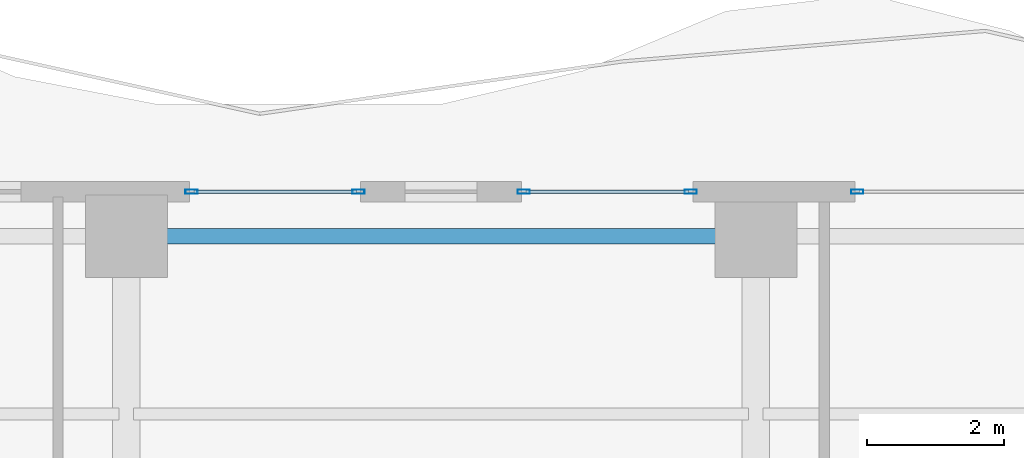
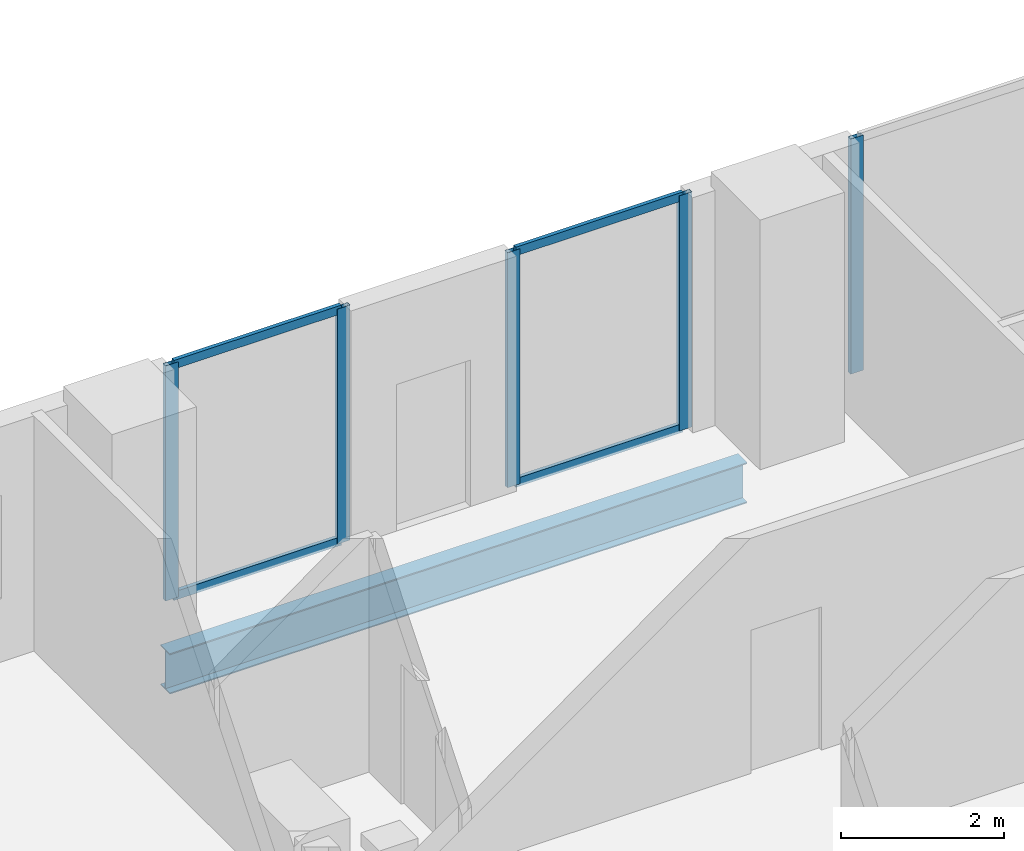
# One storey, part 19 of 32: 9 members, 1 beam, 3 elements without a shape of their own.
"""IFC4 building model written with IfcOpenShell, lengths in metres."""

import ifcopenshell
import ifcopenshell.guid

model = None  # the IFC model being written
_history = None  # IfcOwnerHistory: only IFC2X3 demands one
_inside = {}  # id of a spatial element -> (the spatial element, [elements in it])
_under = {}  # id of a project, library or spatial element -> (it, [spatial elements below it])
_declared = {}  # id of a project -> (the project, [libraries it declares])
_typed = {}  # id of a type object -> (the type object, [elements of that type])
_made_of = {}  # id of a material, layer set ... -> (it, [elements and type objects made of it])


def new_model(schema):
    """Start an empty IFC model of exactly this schema.

    Asked for "IFC4X3", IfcOpenShell would pick the latest addendum, in which some entities
    have other attributes; the version numbers below select the first issue.
    IFC2X3 requires an IfcOwnerHistory on every rooted entity: one is made here for all.
    """
    global model, _history
    if schema == "IFC4X3":
        model = ifcopenshell.file(schema_version=(4, 3, 0, 0))
    else:
        model = ifcopenshell.file(schema=schema)
    _inside.clear()
    _under.clear()
    _declared.clear()
    _typed.clear()
    _made_of.clear()
    _history = None
    if model.schema == "IFC2X3":
        org = make("IfcOrganization", Name="unknown")
        user = make(
            "IfcPersonAndOrganization",
            ThePerson=make("IfcPerson", FamilyName="unknown"),
            TheOrganization=org,
        )
        app = make(
            "IfcApplication",
            ApplicationDeveloper=org,
            Version="unknown",
            ApplicationFullName="unknown",
            ApplicationIdentifier="unknown",
        )
        _history = make(
            "IfcOwnerHistory",
            OwningUser=user,
            OwningApplication=app,
            ChangeAction="ADDED",
            CreationDate=0,
        )
    return model


def make(cls, **values):
    """One entity of the class cls with the attributes given. An attribute that is None is left unset."""
    return model.create_entity(
        cls, **{name: value for name, value in values.items() if value is not None}
    )


def rooted(cls, **values):
    """An entity with a GlobalId (a new one), such as an element, a storey or a relation."""
    return make(cls, GlobalId=ifcopenshell.guid.new(), OwnerHistory=_history, **values)


def si_unit(unit_type, name, prefix=None):
    """IfcSIUnit, for example si_unit("LENGTHUNIT", "METRE", prefix="MILLI")."""
    return make("IfcSIUnit", UnitType=unit_type, Prefix=prefix, Name=name)


def assignment(units):
    """IfcUnitAssignment: the units of a project."""
    return None if units is None else make("IfcUnitAssignment", Units=units)


def point(xyz):
    """IfcCartesianPoint."""
    return None if xyz is None else make("IfcCartesianPoint", Coordinates=xyz)


def direction(xyz):
    """IfcDirection."""
    return None if xyz is None else make("IfcDirection", DirectionRatios=xyz)


def frame(location, z_axis=None, x_axis=None):
    """IfcAxis2Placement3D, a coordinate frame: its origin and axes. An axis left out is left unset."""
    return make(
        "IfcAxis2Placement3D",
        Location=point(location),
        Axis=direction(z_axis),
        RefDirection=direction(x_axis),
    )


def frame_2d(location, x_axis=None):
    """IfcAxis2Placement2D, a coordinate frame in the plane: its origin and x axis."""
    return make(
        "IfcAxis2Placement2D", Location=point(location), RefDirection=direction(x_axis)
    )


def origin():
    """The frame at (0, 0, 0) with its axes left unset."""
    return frame((0.0, 0.0, 0.0))


def origin_2d():
    """The frame at (0, 0) in the plane with its x axis left unset."""
    return frame_2d((0.0, 0.0))


def place(relative_to, where):
    """IfcLocalPlacement: puts the frame where relative to a parent placement (None: the world)."""
    return make(
        "IfcLocalPlacement", PlacementRelTo=relative_to, RelativePlacement=where
    )


def context(
    kind, dimensions, precision=None, world=None, true_north=None, identifier=None
):
    """IfcGeometricRepresentationContext, for example the 3D "Model" context."""
    return make(
        "IfcGeometricRepresentationContext",
        ContextIdentifier=identifier,
        ContextType=kind,
        CoordinateSpaceDimension=dimensions,
        Precision=precision,
        WorldCoordinateSystem=world,
        TrueNorth=true_north,
    )


def subcontext(parent, identifier, kind, view, scale=None):
    """IfcGeometricRepresentationSubContext, for example "Body" below "Model"."""
    return make(
        "IfcGeometricRepresentationSubContext",
        ContextIdentifier=identifier,
        ContextType=kind,
        ParentContext=parent,
        TargetScale=scale,
        TargetView=view,
    )


def project(units=None, contexts=None):
    """IfcProject with its units and contexts."""
    return rooted(
        "IfcProject",
        Name="project",
        RepresentationContexts=contexts,
        UnitsInContext=assignment(units),
    )


def spatial(cls, under=None, at=None, **own):
    """A site, building, storey or space (cls), placed at a placement, below another one or the project."""
    s = rooted(cls, ObjectPlacement=at, **own)
    if under is not None:
        _under.setdefault(under.id(), (under, []))[1].append(s)
    return s


def profile(cls, at=None, kind="AREA", **sizes):
    """A parametric profile (cls). Its sizes go by their IFC names, for example OverallWidth=200.0."""
    return make(cls, ProfileType=kind, Position=at, **sizes)


def hollow_rectangle(**sizes):
    """IfcRectangleHollowProfileDef."""
    return profile("IfcRectangleHollowProfileDef", **sizes)


def i_section(**sizes):
    """IfcIShapeProfileDef."""
    return profile("IfcIShapeProfileDef", **sizes)


def extrude(swept, where, along, depth):
    """IfcExtrudedAreaSolid: the profile swept, set in the frame where, extruded along a direction by depth."""
    return make(
        "IfcExtrudedAreaSolid",
        SweptArea=swept,
        Position=where,
        ExtrudedDirection=direction(along),
        Depth=depth,
    )


def shape(context_of_items, identifier, shape_type, items):
    """IfcShapeRepresentation: the items that make up one representation, for example the "Body"."""
    return make(
        "IfcShapeRepresentation",
        ContextOfItems=context_of_items,
        RepresentationIdentifier=identifier,
        RepresentationType=shape_type,
        Items=items,
    )


def material(Name=None, Category=None):
    """IfcMaterial."""
    return make("IfcMaterial", Name=Name, Category=Category)


def layer(
    of_material, thickness, ventilated=None, Name=None, Category=None, Priority=None
):
    """IfcMaterialLayer: one layer of a wall or slab, of a material (None: an air gap)."""
    return make(
        "IfcMaterialLayer",
        Material=of_material,
        LayerThickness=thickness,
        IsVentilated=ventilated,
        Name=Name,
        Category=Category,
        Priority=Priority,
    )


def layer_set(layers, Name=None):
    """IfcMaterialLayerSet."""
    return make("IfcMaterialLayerSet", MaterialLayers=layers, LayerSetName=Name)


def material_profile(
    of_material, cross_section, Name=None, Category=None, Priority=None
):
    """IfcMaterialProfile: a cross section and its material."""
    return make(
        "IfcMaterialProfile",
        Name=Name,
        Material=of_material,
        Profile=cross_section,
        Priority=Priority,
        Category=Category,
    )


def profile_set(profiles, Name=None, composite=None):
    """IfcMaterialProfileSet."""
    return make(
        "IfcMaterialProfileSet",
        Name=Name,
        MaterialProfiles=profiles,
        CompositeProfile=composite,
    )


def made_of(thing, what):
    """Note that an element or type object is made of a material, layer set ...; save() writes the relation."""
    if what is not None:
        _made_of.setdefault(what.id(), (what, []))[1].append(thing)
    return thing


def type_object(cls, material=None, **own):
    """A type object (cls), such as IfcWallType, which elements share."""
    return made_of(rooted(cls, **own), material)


def element(
    cls,
    number,
    at=None,
    inside=None,
    cuts=None,
    type_object=None,
    material=None,
    context=None,
    identifier="Body",
    shape_type=None,
    held_by="IfcProductDefinitionShape",
    body=None,
    shapes=None,
    **own,
):
    """One element of the class cls, such as IfcWall. Its Tag is "e" and its number.

    at: its placement. inside: the storey or other place that contains it. cuts: it is an
    opening in that element (IfcRelVoidsElement). A single representation is given by context,
    identifier, shape_type and body (its items); several are given by shapes. held_by: the class
    of the entity that holds the representations. save() writes the other relations.
    """
    e = rooted(cls, Tag="e%d" % number, ObjectPlacement=at, **own)
    if body is not None:
        shapes = [shape(context, identifier, shape_type, body)]
    if shapes is not None:
        e.Representation = make(held_by, Representations=shapes)
    if inside is not None:
        _inside.setdefault(inside.id(), (inside, []))[1].append(e)
    if cuts is not None:
        rooted(
            "IfcRelVoidsElement", RelatingBuildingElement=cuts, RelatedOpeningElement=e
        )
    if type_object is not None:
        _typed.setdefault(type_object.id(), (type_object, []))[1].append(e)
    return made_of(e, material)


def aggregate(whole, parts):
    """IfcRelAggregates: a whole, such as a stair, and the parts it consists of."""
    return rooted("IfcRelAggregates", RelatingObject=whole, RelatedObjects=parts)


def save(model, path):
    """Write the relations noted so far, then the file.

    IfcRelAggregates (storeys below a building ...), IfcRelContainedInSpatialStructure (elements
    in a storey), IfcRelDefinesByType, IfcRelAssociatesMaterial and IfcRelDeclares: one each for
    every whole, place, type object, material and project.
    """
    for whole, parts in _under.values():
        aggregate(whole, parts)
    for where, things in _inside.values():
        rooted(
            "IfcRelContainedInSpatialStructure",
            RelatedElements=things,
            RelatingStructure=where,
        )
    for kind, things in _typed.values():
        rooted("IfcRelDefinesByType", RelatedObjects=things, RelatingType=kind)
    for what, things in _made_of.values():
        rooted("IfcRelAssociatesMaterial", RelatedObjects=things, RelatingMaterial=what)
    for by, libraries in _declared.values():
        rooted("IfcRelDeclares", RelatingContext=by, RelatedDefinitions=libraries)
    model.write(path)


model = new_model("IFC4")

# Units and contexts
model_context = context("Model", 3, precision=1e-05, world=origin(), true_north=direction((0.0, 1.0)))
body_context = subcontext(model_context, "Body", "Model", "MODEL_VIEW")
ifc_project = project(units=[si_unit("LENGTHUNIT", "METRE"), si_unit("AREAUNIT", "SQUARE_METRE"), si_unit("VOLUMEUNIT", "CUBIC_METRE"), si_unit("PLANEANGLEUNIT", "RADIAN"), si_unit("MASSUNIT", "GRAM", prefix="KILO")], contexts=[model_context])

# Site, building, storey
site_placement = place(None, origin())
site = spatial("IfcSite", under=ifc_project, at=site_placement, CompositionType="ELEMENT")
building_placement = place(site_placement, origin())
building = spatial("IfcBuilding", under=site, at=building_placement, Name="Zuhayl Quay Hotel", CompositionType="ELEMENT")
storey_placement = place(building_placement, frame((0.0, 0.0, 196.14990234375)))
storey = spatial("IfcBuildingStorey", under=building, at=storey_placement, Name="L49", CompositionType="ELEMENT", Elevation=196.14990234375)

# Beam
ifc_material_1 = material(Name="Steel ASTM A992 Grade 50", Category="steel")
ifc_material_profile_1 = material_profile(ifc_material_1, i_section(OverallWidth=0.22802734375, OverallDepth=0.60693359375, WebThickness=0.01123046875, FlangeThickness=0.017333984375, at=origin_2d()), Name="W24X76")
ifc_profile_set_1 = profile_set([ifc_material_profile_1], Name="Steel ASTM A992 Grade 50")
beam_type = type_object("IfcBeamType", Name="BM_B3_W24X76", PredefinedType="BEAM", material=ifc_profile_set_1)
beam_placement = place(storey_placement, frame((4.10009765625, 32.949951171875, -0.5234375), z_axis=(-1.0, 0.0, 0.0), x_axis=(0.0, -1.0, 0.0)))
element("IfcBeam", 1, at=beam_placement, inside=storey, type_object=beam_type, Name="L49 Floor Beam RG_L49_08", PredefinedType="BEAM", context=body_context, shape_type="SweptSolid", body=[
    extrude(i_section(OverallWidth=0.22802734375, OverallDepth=0.60693359375, WebThickness=0.01123046875, FlangeThickness=0.017333984375, at=origin_2d()), origin(), (0.0, 0.0, 1.0), 8.2001953125),
])

# Curtain wall, members
ifc_material_2 = material(Name="Anodised Aluminium 6063-T6", Category="aluminium")
ifc_layer = layer(ifc_material_2, 0.175048828125, Name="Anodised Aluminium 6063-T6", Category="aluminium")
ifc_layer_set = layer_set([ifc_layer], Name="Anodised Aluminium 6063-T6")
curtain_wall_type = type_object("IfcCurtainWallType", Name="CW_SYS_Z3", PredefinedType="USERDEFINED", material=ifc_layer_set)
curtain_wall_1_placement = place(storey_placement, origin())
curtain_wall_1 = element("IfcCurtainWall", 2, at=curtain_wall_1_placement, inside=storey, type_object=curtain_wall_type, Name="L49 Curtain Wall ENV_L49_N_CW3", ObjectType="UNITISED CURTAIN WALL", PredefinedType="USERDEFINED")
ifc_material_3 = material(Name="Black-anodised aluminium 6063-T6", Category="aluminium")
ifc_material_profile_2 = material_profile(ifc_material_3, hollow_rectangle(XDim=0.06494140625, YDim=0.179931640625, WallThickness=0.00341796875, at=origin_2d()), Name="ALU180X65")
ifc_profile_set_2 = profile_set([ifc_material_profile_2], Name="Black-anodised aluminium 6063-T6")
member_type_1 = type_object("IfcMemberType", Name="MB_CW_MUL_180", PredefinedType="MULLION", material=ifc_profile_set_2)
member_1_placement = place(storey_placement, frame((-3.6474609375, 33.60009765625, 0.0), z_axis=(0.0, 0.0, 1.0), x_axis=(0.0, 1.0, 0.0)))
member_1 = element("IfcMember", 3, at=member_1_placement, type_object=member_type_1, Name="CW-Z3 mullion 1", PredefinedType="MULLION", context=body_context, shape_type="SweptSolid", body=[
    extrude(hollow_rectangle(XDim=0.06494140625, YDim=0.179931640625, WallThickness=0.00341796875, at=origin_2d()), origin(), (0.0, 0.0, 1.0), 3.530029296875),
])
member_2_placement = place(storey_placement, frame((-1.20751953125, 33.60009765625, 0.0), z_axis=(0.0, 0.0, 1.0), x_axis=(0.0, 1.0, 0.0)))
member_2 = element("IfcMember", 4, at=member_2_placement, type_object=member_type_1, Name="CW-Z3 mullion 2", PredefinedType="MULLION", context=body_context, shape_type="SweptSolid", body=[
    extrude(hollow_rectangle(XDim=0.06494140625, YDim=0.179931640625, WallThickness=0.00341796875, at=origin_2d()), origin(), (0.0, 0.0, 1.0), 3.530029296875),
])

curtain_wall_2_placement = place(storey_placement, origin())
curtain_wall_2 = element("IfcCurtainWall", 5, at=curtain_wall_2_placement, inside=storey, type_object=curtain_wall_type, Name="L49 Curtain Wall ENV_L49_N_CW4", ObjectType="UNITISED CURTAIN WALL", PredefinedType="USERDEFINED")
member_3_placement = place(storey_placement, frame((1.20751953125, 33.60009765625, 0.0), z_axis=(0.0, 0.0, 1.0), x_axis=(0.0, 1.0, 0.0)))
member_3 = element("IfcMember", 6, at=member_3_placement, type_object=member_type_1, Name="CW-Z3 mullion 1", PredefinedType="MULLION", context=body_context, shape_type="SweptSolid", body=[
    extrude(hollow_rectangle(XDim=0.06494140625, YDim=0.179931640625, WallThickness=0.00341796875, at=origin_2d()), origin(), (0.0, 0.0, 1.0), 3.530029296875),
])
member_4_placement = place(storey_placement, frame((3.6474609375, 33.60009765625, 0.0), z_axis=(0.0, 0.0, 1.0), x_axis=(0.0, 1.0, 0.0)))
member_4 = element("IfcMember", 7, at=member_4_placement, type_object=member_type_1, Name="CW-Z3 mullion 2", PredefinedType="MULLION", context=body_context, shape_type="SweptSolid", body=[
    extrude(hollow_rectangle(XDim=0.06494140625, YDim=0.179931640625, WallThickness=0.00341796875, at=origin_2d()), origin(), (0.0, 0.0, 1.0), 3.530029296875),
])

# Curtain wall, member
curtain_wall_3_placement = place(storey_placement, origin())
curtain_wall_3 = element("IfcCurtainWall", 8, at=curtain_wall_3_placement, inside=storey, type_object=curtain_wall_type, Name="L49 Curtain Wall ENV_L49_N_CW5", ObjectType="UNITISED CURTAIN WALL", PredefinedType="USERDEFINED")
member_5_placement = place(storey_placement, frame((6.08251953125, 33.60009765625, 0.0), z_axis=(0.0, 0.0, 1.0), x_axis=(0.0, 1.0, 0.0)))
member_5 = element("IfcMember", 9, at=member_5_placement, type_object=member_type_1, Name="CW-Z3 mullion 1", PredefinedType="MULLION", context=body_context, shape_type="SweptSolid", body=[
    extrude(hollow_rectangle(XDim=0.06494140625, YDim=0.179931640625, WallThickness=0.00341796875, at=origin_2d()), origin(), (0.0, 0.0, 1.0), 3.530029296875),
])
aggregate(curtain_wall_3, [member_5])

# Member
ifc_material_profile_3 = material_profile(ifc_material_3, hollow_rectangle(XDim=0.054931640625, YDim=0.1298828125, WallThickness=0.0029296875, at=origin_2d()), Name="ALU130X55")
ifc_profile_set_3 = profile_set([ifc_material_profile_3], Name="Black-anodised aluminium 6063-T6")
member_type_2 = type_object("IfcMemberType", Name="MB_CW_TRN_130", PredefinedType="USERDEFINED", material=ifc_profile_set_3)
member_6_placement = place(storey_placement, frame((-3.614990234375, 33.60009765625, 0.027587890625), z_axis=(1.0, 0.0, 0.0), x_axis=(0.0, 1.0, 0.0)))
member_6 = element("IfcMember", 10, at=member_6_placement, type_object=member_type_2, Name="CW-Z3 transom 1.1", ObjectType="TRANSOM", PredefinedType="USERDEFINED", context=body_context, shape_type="SweptSolid", body=[
    extrude(hollow_rectangle(XDim=0.054931640625, YDim=0.1298828125, WallThickness=0.0029296875, at=origin_2d()), origin(), (0.0, 0.0, 1.0), 2.375),
])

member_7_placement = place(storey_placement, frame((-3.614990234375, 33.60009765625, 3.502685546875), z_axis=(1.0, 0.0, 0.0), x_axis=(0.0, 1.0, 0.0)))
member_7 = element("IfcMember", 11, at=member_7_placement, type_object=member_type_2, Name="CW-Z3 transom 1.2", ObjectType="TRANSOM", PredefinedType="USERDEFINED", context=body_context, shape_type="SweptSolid", body=[
    extrude(hollow_rectangle(XDim=0.054931640625, YDim=0.1298828125, WallThickness=0.0029296875, at=origin_2d()), origin(), (0.0, 0.0, 1.0), 2.375),
])

aggregate(curtain_wall_1, [member_1, member_2, member_6, member_7])

member_8_placement = place(storey_placement, frame((1.239990234375, 33.60009765625, 0.027587890625), z_axis=(1.0, 0.0, 0.0), x_axis=(0.0, 1.0, 0.0)))
member_8 = element("IfcMember", 12, at=member_8_placement, type_object=member_type_2, Name="CW-Z3 transom 1.1", ObjectType="TRANSOM", PredefinedType="USERDEFINED", context=body_context, shape_type="SweptSolid", body=[
    extrude(hollow_rectangle(XDim=0.054931640625, YDim=0.1298828125, WallThickness=0.0029296875, at=origin_2d()), origin(), (0.0, 0.0, 1.0), 2.375),
])

member_9_placement = place(storey_placement, frame((1.239990234375, 33.60009765625, 3.502685546875), z_axis=(1.0, 0.0, 0.0), x_axis=(0.0, 1.0, 0.0)))
member_9 = element("IfcMember", 13, at=member_9_placement, type_object=member_type_2, Name="CW-Z3 transom 1.2", ObjectType="TRANSOM", PredefinedType="USERDEFINED", context=body_context, shape_type="SweptSolid", body=[
    extrude(hollow_rectangle(XDim=0.054931640625, YDim=0.1298828125, WallThickness=0.0029296875, at=origin_2d()), origin(), (0.0, 0.0, 1.0), 2.375),
])

aggregate(curtain_wall_2, [member_3, member_4, member_8, member_9])

save(model, "model.ifc")
